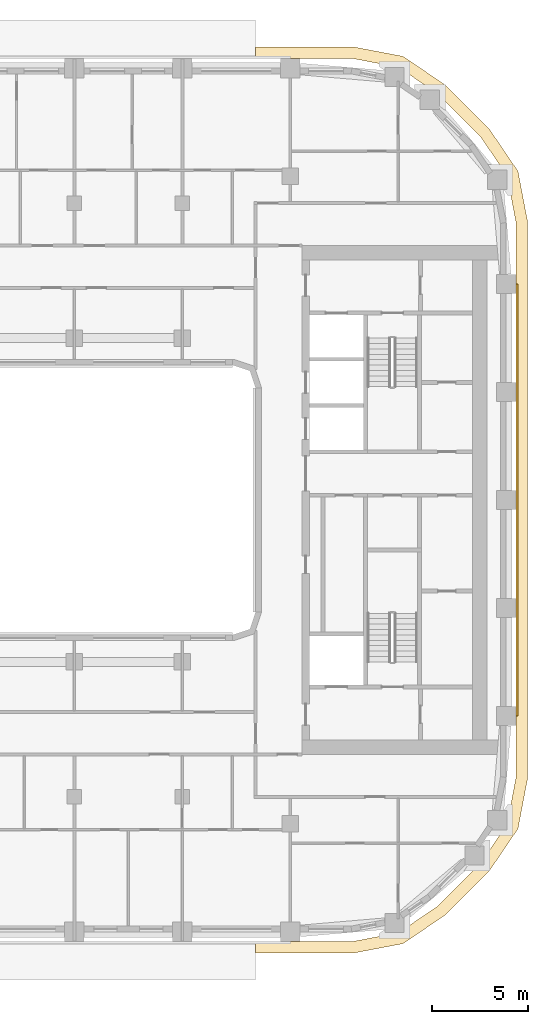
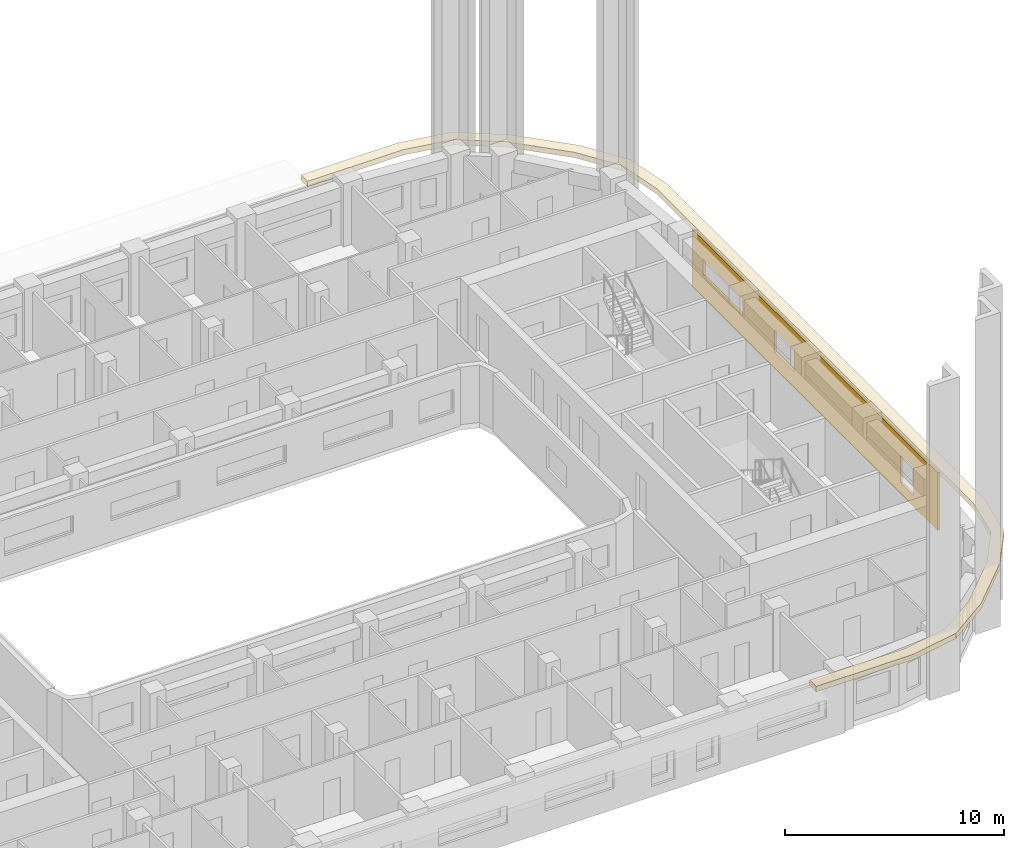
# One storey, part 18 of 22: 2 coverings.
"""IFC4 building model written with IfcOpenShell, lengths in metres."""

from ifc_helpers import new_model, si_unit, direction, frame, origin, place, context, subcontext, project, spatial, polyline, outline, extrude, material, layer, layer_set, type_object, element, save


model = new_model("IFC4")

# Units and contexts
model_context = context("Model", 3, precision=1e-05, world=origin(), true_north=direction((0.0, 1.0)))
body_context = subcontext(model_context, "Body", "Model", "MODEL_VIEW")
ifc_project = project(units=[si_unit("LENGTHUNIT", "METRE"), si_unit("AREAUNIT", "SQUARE_METRE"), si_unit("VOLUMEUNIT", "CUBIC_METRE"), si_unit("PLANEANGLEUNIT", "RADIAN"), si_unit("MASSUNIT", "GRAM", prefix="KILO")], contexts=[model_context])

# Site, building, storey
site_placement = place(None, origin())
site = spatial("IfcSite", under=ifc_project, at=site_placement, CompositionType="ELEMENT")
building_placement = place(site_placement, origin())
building = spatial("IfcBuilding", under=site, at=building_placement, Name="Kiln Ring Residences", CompositionType="ELEMENT")
storey_placement = place(building_placement, frame((0.0, 0.0, 160.60009765625)))
storey = spatial("IfcBuildingStorey", under=building, at=storey_placement, Name="L41", CompositionType="ELEMENT", Elevation=160.60009765625)

# Coverings
ifc_material_1 = material(Name="Brick masonry, dark clay brick", Category="masonry")
ifc_layer_1 = layer(ifc_material_1, 0.1201171875)
ifc_layer_set_1 = layer_set([ifc_layer_1], Name="RAINSCREEN PANEL 120")
covering_type_1 = type_object("IfcCoveringType", Name="RAINSCREEN PANEL 120", PredefinedType="CLADDING", material=ifc_layer_set_1)
covering_1_placement = place(storey_placement, frame((28.56005859375, -11.199951171875, 0.0), z_axis=(0.0, 0.0, 1.0), x_axis=(0.0, 1.0, 0.0)))
element("IfcCovering", 1, at=covering_1_placement, inside=storey, type_object=covering_type_1, Name="RAINSCREEN L41", PredefinedType="CLADDING", context=body_context, shape_type="SweptSolid", body=[
    extrude(outline(polyline([(0.0, 0.0), (22.39990234375, 0.0), (22.39990234375, 3.199951171875), (0.0, 3.199951171875), (0.0, 0.0)]), holes=[polyline([(3.39990234375, 2.14990234375), (2.199951171875, 2.14990234375), (2.199951171875, 0.599853515625), (3.39990234375, 0.599853515625), (3.39990234375, 2.14990234375)]), polyline([(14.89990234375, 0.89990234375), (14.89990234375, 2.14990234375), (13.10009765625, 2.14990234375), (13.10009765625, 0.89990234375), (14.89990234375, 0.89990234375)]), polyline([(21.39990234375, 1.199951171875), (21.39990234375, 2.14990234375), (17.800048828125, 2.14990234375), (17.800048828125, 1.199951171875), (21.39990234375, 1.199951171875)])]), frame((0.0, 0.06005859375, 0.0), z_axis=(0.0, -1.0, 0.0), x_axis=(1.0, 0.0, 0.0)), (0.0, 0.0, 1.0), 0.1201171875),
])
ifc_material_2 = material(Name="Black powder-coated steel", Category="steel")
ifc_layer_2 = layer(ifc_material_2, 0.300048828125)
ifc_layer_set_2 = layer_set([ifc_layer_2], Name="SUNSHADE FIN 600")
covering_type_2 = type_object("IfcCoveringType", Name="SUNSHADE FIN 600", PredefinedType="CLADDING", material=ifc_layer_set_2)
covering_2_placement = place(storey_placement, frame((0.0, 0.0, 3.199951171875)))
element("IfcCovering", 2, at=covering_2_placement, inside=storey, type_object=covering_type_2, Name="SUNSHADE FIN L41", PredefinedType="CLADDING", context=body_context, shape_type="SweptSolid", body=[
    extrude(outline(polyline([(20.10400390625, 23.5), (15.0, 23.5), (15.0, 22.89990234375), (20.04736328125, 22.89990234375), (22.419677734375, 22.447509765625), (24.417236328125, 21.08984375), (26.68994140625, 18.817138671875), (28.047607421875, 16.819580078125), (28.5, 14.447265625), (28.5, -14.447265625), (28.047607421875, -16.819580078125), (26.68994140625, -18.817138671875), (24.417236328125, -21.08984375), (22.419677734375, -22.447509765625), (20.04736328125, -22.89990234375), (15.0, -22.89990234375), (15.0, -23.5), (20.10400390625, -23.5), (22.654052734375, -23.013671875), (24.801513671875, -21.55419921875), (27.154296875, -19.201416015625), (28.613525390625, -17.05419921875), (29.10009765625, -14.50390625), (29.10009765625, 14.50390625), (28.613525390625, 17.05419921875), (27.154296875, 19.201416015625), (24.801513671875, 21.55419921875), (22.654052734375, 23.013671875), (20.10400390625, 23.5)])), origin(), (0.0, 0.0, 1.0), 0.300048828125),
])

save(model, "model.ifc")
